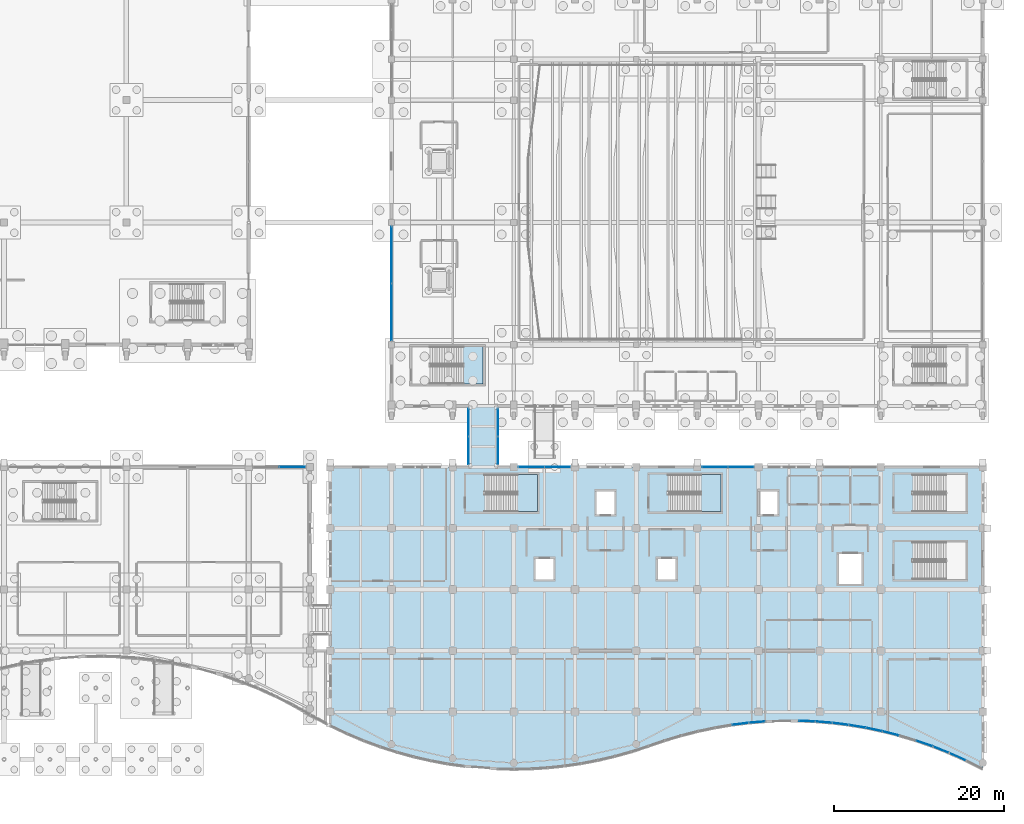
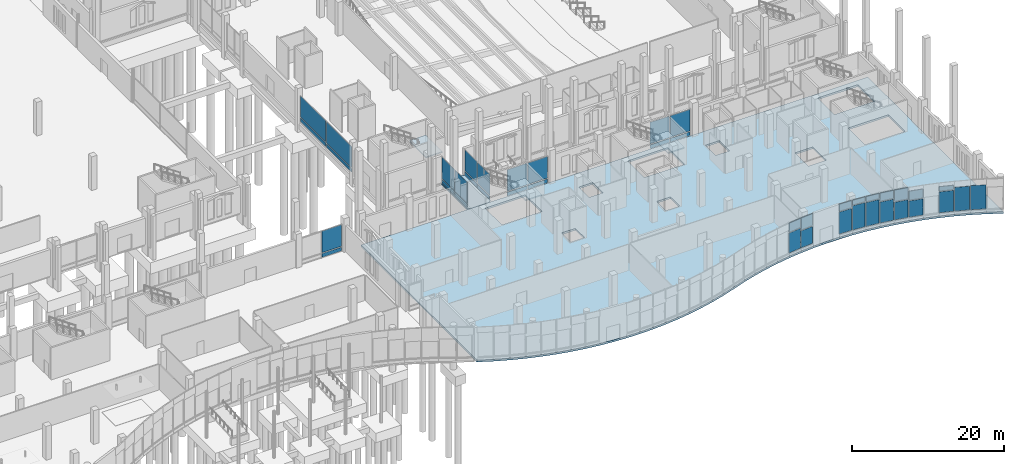
# One storey, part 127 of 192: 42 plates, 5 slabs, 20 elements without a shape of their own.
"""IFC4 building model written with IfcOpenShell, lengths in metres."""

import ifcopenshell
import ifcopenshell.guid

model = None  # the IFC model being written
_history = None  # IfcOwnerHistory: only IFC2X3 demands one
_inside = {}  # id of a spatial element -> (the spatial element, [elements in it])
_under = {}  # id of a project, library or spatial element -> (it, [spatial elements below it])
_declared = {}  # id of a project -> (the project, [libraries it declares])
_typed = {}  # id of a type object -> (the type object, [elements of that type])
_made_of = {}  # id of a material, layer set ... -> (it, [elements and type objects made of it])


def new_model(schema):
    """Start an empty IFC model of exactly this schema.

    Asked for "IFC4X3", IfcOpenShell would pick the latest addendum, in which some entities
    have other attributes; the version numbers below select the first issue.
    IFC2X3 requires an IfcOwnerHistory on every rooted entity: one is made here for all.
    """
    global model, _history
    if schema == "IFC4X3":
        model = ifcopenshell.file(schema_version=(4, 3, 0, 0))
    else:
        model = ifcopenshell.file(schema=schema)
    _inside.clear()
    _under.clear()
    _declared.clear()
    _typed.clear()
    _made_of.clear()
    _history = None
    if model.schema == "IFC2X3":
        org = make("IfcOrganization", Name="unknown")
        user = make(
            "IfcPersonAndOrganization",
            ThePerson=make("IfcPerson", FamilyName="unknown"),
            TheOrganization=org,
        )
        app = make(
            "IfcApplication",
            ApplicationDeveloper=org,
            Version="unknown",
            ApplicationFullName="unknown",
            ApplicationIdentifier="unknown",
        )
        _history = make(
            "IfcOwnerHistory",
            OwningUser=user,
            OwningApplication=app,
            ChangeAction="ADDED",
            CreationDate=0,
        )
    return model


def make(cls, **values):
    """One entity of the class cls with the attributes given. An attribute that is None is left unset."""
    return model.create_entity(
        cls, **{name: value for name, value in values.items() if value is not None}
    )


def rooted(cls, **values):
    """An entity with a GlobalId (a new one), such as an element, a storey or a relation."""
    return make(cls, GlobalId=ifcopenshell.guid.new(), OwnerHistory=_history, **values)


def si_unit(unit_type, name, prefix=None):
    """IfcSIUnit, for example si_unit("LENGTHUNIT", "METRE", prefix="MILLI")."""
    return make("IfcSIUnit", UnitType=unit_type, Prefix=prefix, Name=name)


def assignment(units):
    """IfcUnitAssignment: the units of a project."""
    return None if units is None else make("IfcUnitAssignment", Units=units)


def point(xyz):
    """IfcCartesianPoint."""
    return None if xyz is None else make("IfcCartesianPoint", Coordinates=xyz)


def direction(xyz):
    """IfcDirection."""
    return None if xyz is None else make("IfcDirection", DirectionRatios=xyz)


def frame(location, z_axis=None, x_axis=None):
    """IfcAxis2Placement3D, a coordinate frame: its origin and axes. An axis left out is left unset."""
    return make(
        "IfcAxis2Placement3D",
        Location=point(location),
        Axis=direction(z_axis),
        RefDirection=direction(x_axis),
    )


def frame_2d(location, x_axis=None):
    """IfcAxis2Placement2D, a coordinate frame in the plane: its origin and x axis."""
    return make(
        "IfcAxis2Placement2D", Location=point(location), RefDirection=direction(x_axis)
    )


def origin():
    """The frame at (0, 0, 0) with its axes left unset."""
    return frame((0.0, 0.0, 0.0))


def origin_2d():
    """The frame at (0, 0) in the plane with its x axis left unset."""
    return frame_2d((0.0, 0.0))


def place(relative_to, where):
    """IfcLocalPlacement: puts the frame where relative to a parent placement (None: the world)."""
    return make(
        "IfcLocalPlacement", PlacementRelTo=relative_to, RelativePlacement=where
    )


def context(
    kind, dimensions, precision=None, world=None, true_north=None, identifier=None
):
    """IfcGeometricRepresentationContext, for example the 3D "Model" context."""
    return make(
        "IfcGeometricRepresentationContext",
        ContextIdentifier=identifier,
        ContextType=kind,
        CoordinateSpaceDimension=dimensions,
        Precision=precision,
        WorldCoordinateSystem=world,
        TrueNorth=true_north,
    )


def subcontext(parent, identifier, kind, view, scale=None):
    """IfcGeometricRepresentationSubContext, for example "Body" below "Model"."""
    return make(
        "IfcGeometricRepresentationSubContext",
        ContextIdentifier=identifier,
        ContextType=kind,
        ParentContext=parent,
        TargetScale=scale,
        TargetView=view,
    )


def project(units=None, contexts=None):
    """IfcProject with its units and contexts."""
    return rooted(
        "IfcProject",
        Name="project",
        RepresentationContexts=contexts,
        UnitsInContext=assignment(units),
    )


def spatial(cls, under=None, at=None, **own):
    """A site, building, storey or space (cls), placed at a placement, below another one or the project."""
    s = rooted(cls, ObjectPlacement=at, **own)
    if under is not None:
        _under.setdefault(under.id(), (under, []))[1].append(s)
    return s


def polyline(points):
    """IfcPolyline through the points."""
    return make("IfcPolyline", Points=[point(p) for p in points])


def profile(cls, at=None, kind="AREA", **sizes):
    """A parametric profile (cls). Its sizes go by their IFC names, for example OverallWidth=200.0."""
    return make(cls, ProfileType=kind, Position=at, **sizes)


def rectangle(**sizes):
    """IfcRectangleProfileDef."""
    return profile("IfcRectangleProfileDef", **sizes)


def outline(outer, holes=None, kind="AREA"):
    """IfcArbitraryClosedProfileDef: a profile drawn as a closed curve; with holes, ...WithVoids."""
    if holes is None:
        return make("IfcArbitraryClosedProfileDef", ProfileType=kind, OuterCurve=outer)
    return make(
        "IfcArbitraryProfileDefWithVoids",
        ProfileType=kind,
        OuterCurve=outer,
        InnerCurves=holes,
    )


def extrude(swept, where, along, depth):
    """IfcExtrudedAreaSolid: the profile swept, set in the frame where, extruded along a direction by depth."""
    return make(
        "IfcExtrudedAreaSolid",
        SweptArea=swept,
        Position=where,
        ExtrudedDirection=direction(along),
        Depth=depth,
    )


def shape(context_of_items, identifier, shape_type, items):
    """IfcShapeRepresentation: the items that make up one representation, for example the "Body"."""
    return make(
        "IfcShapeRepresentation",
        ContextOfItems=context_of_items,
        RepresentationIdentifier=identifier,
        RepresentationType=shape_type,
        Items=items,
    )


def material(Name=None, Category=None):
    """IfcMaterial."""
    return make("IfcMaterial", Name=Name, Category=Category)


def layer(
    of_material, thickness, ventilated=None, Name=None, Category=None, Priority=None
):
    """IfcMaterialLayer: one layer of a wall or slab, of a material (None: an air gap)."""
    return make(
        "IfcMaterialLayer",
        Material=of_material,
        LayerThickness=thickness,
        IsVentilated=ventilated,
        Name=Name,
        Category=Category,
        Priority=Priority,
    )


def layer_set(layers, Name=None):
    """IfcMaterialLayerSet."""
    return make("IfcMaterialLayerSet", MaterialLayers=layers, LayerSetName=Name)


def made_of(thing, what):
    """Note that an element or type object is made of a material, layer set ...; save() writes the relation."""
    if what is not None:
        _made_of.setdefault(what.id(), (what, []))[1].append(thing)
    return thing


def type_object(cls, material=None, **own):
    """A type object (cls), such as IfcWallType, which elements share."""
    return made_of(rooted(cls, **own), material)


def element(
    cls,
    number,
    at=None,
    inside=None,
    cuts=None,
    type_object=None,
    material=None,
    context=None,
    identifier="Body",
    shape_type=None,
    held_by="IfcProductDefinitionShape",
    body=None,
    shapes=None,
    **own,
):
    """One element of the class cls, such as IfcWall. Its Tag is "e" and its number.

    at: its placement. inside: the storey or other place that contains it. cuts: it is an
    opening in that element (IfcRelVoidsElement). A single representation is given by context,
    identifier, shape_type and body (its items); several are given by shapes. held_by: the class
    of the entity that holds the representations. save() writes the other relations.
    """
    e = rooted(cls, Tag="e%d" % number, ObjectPlacement=at, **own)
    if body is not None:
        shapes = [shape(context, identifier, shape_type, body)]
    if shapes is not None:
        e.Representation = make(held_by, Representations=shapes)
    if inside is not None:
        _inside.setdefault(inside.id(), (inside, []))[1].append(e)
    if cuts is not None:
        rooted(
            "IfcRelVoidsElement", RelatingBuildingElement=cuts, RelatedOpeningElement=e
        )
    if type_object is not None:
        _typed.setdefault(type_object.id(), (type_object, []))[1].append(e)
    return made_of(e, material)


def aggregate(whole, parts):
    """IfcRelAggregates: a whole, such as a stair, and the parts it consists of."""
    return rooted("IfcRelAggregates", RelatingObject=whole, RelatedObjects=parts)


def save(model, path):
    """Write the relations noted so far, then the file.

    IfcRelAggregates (storeys below a building ...), IfcRelContainedInSpatialStructure (elements
    in a storey), IfcRelDefinesByType, IfcRelAssociatesMaterial and IfcRelDeclares: one each for
    every whole, place, type object, material and project.
    """
    for whole, parts in _under.values():
        aggregate(whole, parts)
    for where, things in _inside.values():
        rooted(
            "IfcRelContainedInSpatialStructure",
            RelatedElements=things,
            RelatingStructure=where,
        )
    for kind, things in _typed.values():
        rooted("IfcRelDefinesByType", RelatedObjects=things, RelatingType=kind)
    for what, things in _made_of.values():
        rooted("IfcRelAssociatesMaterial", RelatedObjects=things, RelatingMaterial=what)
    for by, libraries in _declared.values():
        rooted("IfcRelDeclares", RelatingContext=by, RelatedDefinitions=libraries)
    model.write(path)


model = new_model("IFC4")

# Units and contexts
model_context = context("Model", 3, precision=1e-05, world=origin(), true_north=direction((0.0, 1.0)))
body_context = subcontext(model_context, "Body", "Model", "MODEL_VIEW")
ifc_project = project(units=[si_unit("LENGTHUNIT", "METRE"), si_unit("AREAUNIT", "SQUARE_METRE"), si_unit("VOLUMEUNIT", "CUBIC_METRE"), si_unit("PLANEANGLEUNIT", "RADIAN"), si_unit("MASSUNIT", "GRAM", prefix="KILO")], contexts=[model_context])

# Site, building, storey
site_placement = place(None, origin())
site = spatial("IfcSite", under=ifc_project, at=site_placement, CompositionType="ELEMENT")
building_placement = place(site_placement, origin())
building = spatial("IfcBuilding", under=site, at=building_placement, Name="Cendralis Lancet Convention Centre", CompositionType="ELEMENT")
storey_placement = place(building_placement, origin())
storey = spatial("IfcBuildingStorey", under=building, at=storey_placement, Name="L00", CompositionType="ELEMENT", Elevation=0.0)

# Curtain wall, plate
ifc_material_1 = material(Name="Anodised bronze architectural aluminium", Category="aluminium")
curtain_wall_type_1 = type_object("IfcCurtainWallType", Name="ARC-CW-WF02", PredefinedType="USERDEFINED", material=ifc_material_1)
curtain_wall_1_placement = place(storey_placement, origin())
curtain_wall_1 = element("IfcCurtainWall", 1, at=curtain_wall_1_placement, inside=storey, type_object=curtain_wall_type_1, Name="L00 Curtain Wall CW-WF2 #078", ObjectType="CURTAIN WALL", PredefinedType="USERDEFINED")
ifc_material_2 = material(Name="Double-glazed low-E solar-control glass", Category="glass")
ifc_layer_1 = layer(ifc_material_2, 0.035888671875, Name="Double-glazed low-E solar-control glass")
ifc_layer_set_1 = layer_set([ifc_layer_1], Name="Double-glazed low-E solar-control glass")
plate_type_1 = type_object("IfcPlateType", Name="ARC-PL-GL01", PredefinedType="CURTAIN_PANEL", material=ifc_layer_set_1)
plate_1_placement = place(storey_placement, frame((180.24658203125, 5.776611328125, 0.52001953125), z_axis=(0.0, 0.0, 1.0), x_axis=(0.992470529301, 0.122483666133, 0.0)))
plate_1 = element("IfcPlate", 2, at=plate_1_placement, type_object=plate_type_1, Name="Vision Glass Panel CW2-CW-WF2-L00-078-PG0", PredefinedType="CURTAIN_PANEL", context=body_context, shape_type="SweptSolid", body=[
    extrude(rectangle(XDim=1.843994140625, YDim=0.035888671875, at=origin_2d()), origin(), (0.0, 0.0, 1.0), 3.18994140625),
])

curtain_wall_2_placement = place(storey_placement, origin())
curtain_wall_2 = element("IfcCurtainWall", 3, at=curtain_wall_2_placement, inside=storey, type_object=curtain_wall_type_1, Name="L00 Curtain Wall CW-WF2 #079", ObjectType="CURTAIN WALL", PredefinedType="USERDEFINED")
plate_2_placement = place(storey_placement, frame((182.215576171875, 5.97900390625, 0.52001953125), z_axis=(0.0, 0.0, 1.0), x_axis=(0.996632477264, 0.081998202797, 0.0)))
plate_2 = element("IfcPlate", 4, at=plate_2_placement, type_object=plate_type_1, Name="Vision Glass Panel CW2-CW-WF2-L00-079-PG0", PredefinedType="CURTAIN_PANEL", context=body_context, shape_type="SweptSolid", body=[
    extrude(rectangle(XDim=1.835693359375, YDim=0.035888671875, at=origin_2d()), origin(), (0.0, 0.0, 1.0), 2.721923828125),
])

curtain_wall_3_placement = place(storey_placement, origin())
curtain_wall_3 = element("IfcCurtainWall", 5, at=curtain_wall_3_placement, inside=storey, type_object=curtain_wall_type_1, Name="L00 Curtain Wall CW-WF2 #080", ObjectType="CURTAIN WALL", PredefinedType="USERDEFINED")
plate_3_placement = place(storey_placement, frame((188.123046875, 6.09912109375, 0.52001953125), z_axis=(0.0, 0.0, 1.0), x_axis=(0.999134830174, -0.041588353332, 0.0)))
plate_3 = element("IfcPlate", 6, at=plate_3_placement, type_object=plate_type_1, Name="Vision Glass Panel CW2-CW-WF2-L00-080-PG0", PredefinedType="CURTAIN_PANEL", context=body_context, shape_type="SweptSolid", body=[
    extrude(rectangle(XDim=1.831787109375, YDim=0.035888671875, at=origin_2d()), origin(), (0.0, 0.0, 1.0), 3.51708984375),
])

curtain_wall_4_placement = place(storey_placement, origin())
curtain_wall_4 = element("IfcCurtainWall", 7, at=curtain_wall_4_placement, inside=storey, type_object=curtain_wall_type_1, Name="L00 Curtain Wall CW-WF2 #081", ObjectType="CURTAIN WALL", PredefinedType="USERDEFINED")
plate_4_placement = place(storey_placement, frame((190.092529296875, 5.9765625, 0.52001953125), z_axis=(0.0, 0.0, 1.0), x_axis=(0.996590987599, -0.082500929908, 0.0)))
plate_4 = element("IfcPlate", 8, at=plate_4_placement, type_object=plate_type_1, Name="Vision Glass Panel CW2-CW-WF2-L00-081-PG0", PredefinedType="CURTAIN_PANEL", context=body_context, shape_type="SweptSolid", body=[
    extrude(rectangle(XDim=1.835693359375, YDim=0.035888671875, at=origin_2d()), origin(), (0.0, 0.0, 1.0), 3.884033203125),
])

curtain_wall_5_placement = place(storey_placement, origin())
curtain_wall_5 = element("IfcCurtainWall", 9, at=curtain_wall_5_placement, inside=storey, type_object=curtain_wall_type_1, Name="L00 Curtain Wall CW-WF2 #082", ObjectType="CURTAIN WALL", PredefinedType="USERDEFINED")
plate_5_placement = place(storey_placement, frame((192.0615234375, 5.7724609375, 0.52001953125), z_axis=(0.0, 0.0, 1.0), x_axis=(0.992347502285, -0.123476454063, 0.0)))
plate_5 = element("IfcPlate", 10, at=plate_5_placement, type_object=plate_type_1, Name="Vision Glass Panel CW2-CW-WF2-L00-082-PG0", PredefinedType="CURTAIN_PANEL", context=body_context, shape_type="SweptSolid", body=[
    extrude(rectangle(XDim=1.84423828125, YDim=0.035888671875, at=origin_2d()), origin(), (0.0, 0.0, 1.0), 3.818115234375),
])

curtain_wall_6_placement = place(storey_placement, origin())
curtain_wall_6 = element("IfcCurtainWall", 11, at=curtain_wall_6_placement, inside=storey, type_object=curtain_wall_type_1, Name="L00 Curtain Wall CW-WF2 #083", ObjectType="CURTAIN WALL", PredefinedType="USERDEFINED")
plate_6_placement = place(storey_placement, frame((194.030517578125, 5.486083984375, 0.52001953125), z_axis=(0.0, 0.0, 1.0), x_axis=(0.986407460183, -0.164317748573, 0.0)))
plate_6 = element("IfcPlate", 12, at=plate_6_placement, type_object=plate_type_1, Name="Vision Glass Panel CW2-CW-WF2-L00-083-PG0", PredefinedType="CURTAIN_PANEL", context=body_context, shape_type="SweptSolid", body=[
    extrude(rectangle(XDim=1.856201171875, YDim=0.035888671875, at=origin_2d()), origin(), (0.0, 0.0, 1.0), 3.364990234375),
])

curtain_wall_7_placement = place(storey_placement, origin())
curtain_wall_7 = element("IfcCurtainWall", 13, at=curtain_wall_7_placement, inside=storey, type_object=curtain_wall_type_1, Name="L00 Curtain Wall CW-WF2 #084", ObjectType="CURTAIN WALL", PredefinedType="USERDEFINED")
plate_7_placement = place(storey_placement, frame((196.0, 5.114990234375, 0.52001953125), z_axis=(0.0, 0.0, 1.0), x_axis=(0.978623511976, -0.205659966468, 0.0)))
plate_7 = element("IfcPlate", 14, at=plate_7_placement, type_object=plate_type_1, Name="Vision Glass Panel CW2-CW-WF2-L00-084-PG0", PredefinedType="CURTAIN_PANEL", context=body_context, shape_type="SweptSolid", body=[
    extrude(rectangle(XDim=1.873046875, YDim=0.035888671875, at=origin_2d()), origin(), (0.0, 0.0, 1.0), 2.839111328125),
])

curtain_wall_8_placement = place(storey_placement, origin())
curtain_wall_8 = element("IfcCurtainWall", 15, at=curtain_wall_8_placement, inside=storey, type_object=curtain_wall_type_1, Name="L00 Curtain Wall CW-WF2 #085", ObjectType="CURTAIN WALL", PredefinedType="USERDEFINED")
plate_8_placement = place(storey_placement, frame((197.969482421875, 4.657958984375, 0.52001953125), z_axis=(0.0, 0.0, 1.0), x_axis=(0.969238225339, -0.246124485865, 0.0)))
plate_8 = element("IfcPlate", 16, at=plate_8_placement, type_object=plate_type_1, Name="Vision Glass Panel CW2-CW-WF2-L00-085-PG0", PredefinedType="CURTAIN_PANEL", context=body_context, shape_type="SweptSolid", body=[
    extrude(rectangle(XDim=1.8916015625, YDim=0.035888671875, at=origin_2d()), origin(), (0.0, 0.0, 1.0), 2.60498046875),
])

curtain_wall_9_placement = place(storey_placement, origin())
curtain_wall_9 = element("IfcCurtainWall", 17, at=curtain_wall_9_placement, inside=storey, type_object=curtain_wall_type_1, Name="L00 Curtain Wall CW-WF2 #087", ObjectType="CURTAIN WALL", PredefinedType="USERDEFINED")
plate_9_placement = place(storey_placement, frame((201.907470703125, 3.473388671875, 0.52001953125), z_axis=(0.0, 0.0, 1.0), x_axis=(0.944477381623, -0.32857643799, 0.0)))
plate_9 = element("IfcPlate", 18, at=plate_9_placement, type_object=plate_type_1, Name="Vision Glass Panel CW2-CW-WF2-L00-087-PG0", PredefinedType="CURTAIN_PANEL", context=body_context, shape_type="SweptSolid", body=[
    extrude(rectangle(XDim=1.94482421875, YDim=0.035888671875, at=origin_2d()), origin(), (0.0, 0.0, 1.0), 3.347900390625),
])

curtain_wall_10_placement = place(storey_placement, origin())
curtain_wall_10 = element("IfcCurtainWall", 19, at=curtain_wall_10_placement, inside=storey, type_object=curtain_wall_type_1, Name="L00 Curtain Wall CW-WF2 #088", ObjectType="CURTAIN WALL", PredefinedType="USERDEFINED")
plate_10_placement = place(storey_placement, frame((203.876953125, 2.739501953125, 0.52001953125), z_axis=(0.0, 0.0, 1.0), x_axis=(0.929287774345, -0.369356511318, 0.0)))
plate_10 = element("IfcPlate", 20, at=plate_10_placement, type_object=plate_type_1, Name="Vision Glass Panel CW2-CW-WF2-L00-088-PG0", PredefinedType="CURTAIN_PANEL", context=body_context, shape_type="SweptSolid", body=[
    extrude(rectangle(XDim=1.97998046875, YDim=0.035888671875, at=origin_2d()), origin(), (0.0, 0.0, 1.0), 3.80908203125),
])
aggregate(curtain_wall_10, [plate_10])

curtain_wall_11_placement = place(storey_placement, origin())
curtain_wall_11 = element("IfcCurtainWall", 21, at=curtain_wall_11_placement, inside=storey, type_object=curtain_wall_type_1, Name="L00 Curtain Wall CW-WF2 #089", ObjectType="CURTAIN WALL", PredefinedType="USERDEFINED")
plate_11_placement = place(storey_placement, frame((205.846435546875, 1.904541015625, 0.52001953125), z_axis=(0.0, 0.0, 1.0), x_axis=(0.91175681114, -0.410730467995, 0.0)))
plate_11 = element("IfcPlate", 22, at=plate_11_placement, type_object=plate_type_1, Name="Vision Glass Panel CW2-CW-WF2-L00-089-PG0", PredefinedType="CURTAIN_PANEL", context=body_context, shape_type="SweptSolid", body=[
    extrude(rectangle(XDim=2.01953125, YDim=0.035888671875, at=origin_2d()), origin(), (0.0, 0.0, 1.0), 3.888916015625),
])
aggregate(curtain_wall_11, [plate_11])

# Curtain wall, plates
curtain_wall_type_2 = type_object("IfcCurtainWallType", Name="ARC-CW-BR01", PredefinedType="USERDEFINED", material=ifc_material_1)
curtain_wall_12_placement = place(storey_placement, origin())
curtain_wall_12 = element("IfcCurtainWall", 23, at=curtain_wall_12_placement, inside=storey, type_object=curtain_wall_type_2, Name="L00 Curtain Wall CW-BR1 #211", ObjectType="CURTAIN WALL", PredefinedType="USERDEFINED")
plate_12_placement = place(storey_placement, frame((148.280029296875, 37.925048828125, 0.81982421875), z_axis=(0.0, 0.0, 1.0), x_axis=(0.0, 1.0, 0.0)))
plate_12 = element("IfcPlate", 24, at=plate_12_placement, type_object=plate_type_1, Name="Vision Glass Panel CW2-CW-BR1-L00-211-PG0", PredefinedType="CURTAIN_PANEL", context=body_context, shape_type="SweptSolid", body=[
    extrude(rectangle(XDim=3.2099609375, YDim=0.035888671875, at=origin_2d()), origin(), (0.0, 0.0, 1.0), 3.360107421875),
])
plate_13_placement = place(storey_placement, frame((148.280029296875, 41.27490234375, 0.81982421875), z_axis=(0.0, 0.0, 1.0), x_axis=(0.0, 1.0, 0.0)))
plate_13 = element("IfcPlate", 25, at=plate_13_placement, type_object=plate_type_1, Name="Vision Glass Panel CW2-CW-BR1-L00-211-PG1", PredefinedType="CURTAIN_PANEL", context=body_context, shape_type="SweptSolid", body=[
    extrude(rectangle(XDim=3.2099609375, YDim=0.035888671875, at=origin_2d()), origin(), (0.0, 0.0, 1.0), 3.360107421875),
])

curtain_wall_13_placement = place(storey_placement, origin())
curtain_wall_13 = element("IfcCurtainWall", 26, at=curtain_wall_13_placement, inside=storey, type_object=curtain_wall_type_2, Name="L00 Curtain Wall CW-BR1 #212", ObjectType="CURTAIN WALL", PredefinedType="USERDEFINED")
plate_14_placement = place(storey_placement, frame((151.719970703125, 37.925048828125, 0.81982421875), z_axis=(0.0, 0.0, 1.0), x_axis=(0.0, 1.0, 0.0)))
plate_14 = element("IfcPlate", 27, at=plate_14_placement, type_object=plate_type_1, Name="Vision Glass Panel CW2-CW-BR1-L00-212-PG0", PredefinedType="CURTAIN_PANEL", context=body_context, shape_type="SweptSolid", body=[
    extrude(rectangle(XDim=3.2099609375, YDim=0.035888671875, at=origin_2d()), origin(), (0.0, 0.0, 1.0), 3.360107421875),
])
plate_15_placement = place(storey_placement, frame((151.719970703125, 41.27490234375, 0.81982421875), z_axis=(0.0, 0.0, 1.0), x_axis=(0.0, 1.0, 0.0)))
plate_15 = element("IfcPlate", 28, at=plate_15_placement, type_object=plate_type_1, Name="Vision Glass Panel CW2-CW-BR1-L00-212-PG1", PredefinedType="CURTAIN_PANEL", context=body_context, shape_type="SweptSolid", body=[
    extrude(rectangle(XDim=3.2099609375, YDim=0.035888671875, at=origin_2d()), origin(), (0.0, 0.0, 1.0), 3.360107421875),
])

curtain_wall_type_3 = type_object("IfcCurtainWallType", Name="ARC-CW-PL01", PredefinedType="USERDEFINED", material=ifc_material_1)
curtain_wall_14_placement = place(storey_placement, origin())
curtain_wall_14 = element("IfcCurtainWall", 29, at=curtain_wall_14_placement, inside=storey, type_object=curtain_wall_type_3, Name="L00 Curtain Wall CW-PL1 #110", ObjectType="CURTAIN WALL", PredefinedType="USERDEFINED")
ifc_layer_2 = layer(ifc_material_2, 0.035888671875, Name="Double-glazed low-E solar-control glass")
ifc_layer_set_2 = layer_set([ifc_layer_2], Name="Double-glazed low-E solar-control glass")
plate_type_2 = type_object("IfcPlateType", Name="ARC-PL-GL03", PredefinedType="CURTAIN_PANEL", material=ifc_layer_set_2)
plate_16_placement = place(storey_placement, frame((139.199951171875, 54.21240234375, 0.81982421875), z_axis=(0.0, 0.0, 1.0), x_axis=(0.0, 1.0, 0.0)))
plate_16 = element("IfcPlate", 30, at=plate_16_placement, type_object=plate_type_2, Name="Vision Glass Panel CW2-CW-PL1-L00-110-PG0", PredefinedType="CURTAIN_PANEL", context=body_context, shape_type="SweptSolid", body=[
    extrude(rectangle(XDim=6.614990234375, YDim=0.035888671875, at=origin_2d()), origin(), (0.0, 0.0, 1.0), 3.364990234375),
])
plate_17_placement = place(storey_placement, frame((139.199951171875, 60.987548828125, 0.81982421875), z_axis=(0.0, 0.0, 1.0), x_axis=(0.0, 1.0, 0.0)))
plate_17 = element("IfcPlate", 31, at=plate_17_placement, type_object=plate_type_2, Name="Vision Glass Panel CW2-CW-PL1-L00-110-PG1", PredefinedType="CURTAIN_PANEL", context=body_context, shape_type="SweptSolid", body=[
    extrude(rectangle(XDim=6.614990234375, YDim=0.035888671875, at=origin_2d()), origin(), (0.0, 0.0, 1.0), 3.364990234375),
])

# Curtain wall, plate
curtain_wall_type_4 = type_object("IfcCurtainWallType", Name="ARC-CW-CL01", PredefinedType="USERDEFINED", material=ifc_material_1)
curtain_wall_15_placement = place(storey_placement, origin())
curtain_wall_15 = element("IfcCurtainWall", 32, at=curtain_wall_15_placement, inside=storey, type_object=curtain_wall_type_4, Name="L00 Curtain Wall CW-CL1 #165", ObjectType="CURTAIN WALL", PredefinedType="USERDEFINED")
plate_18_placement = place(storey_placement, frame((127.5625, 36.0, 0.81982421875), z_axis=(0.0, 0.0, 1.0), x_axis=(1.0, 0.0, 0.0)))
plate_18 = element("IfcPlate", 33, at=plate_18_placement, type_object=plate_type_2, Name="Vision Glass Panel CW2-CW-CL1-L00-165-PG1", PredefinedType="CURTAIN_PANEL", context=body_context, shape_type="SweptSolid", body=[
    extrude(rectangle(XDim=2.985107421875, YDim=0.035888671875, at=origin_2d()), origin(), (0.0, 0.0, 1.0), 3.465087890625),
])

# Curtain wall, plates
curtain_wall_16_placement = place(storey_placement, origin())
curtain_wall_16 = element("IfcCurtainWall", 34, at=curtain_wall_16_placement, inside=storey, type_object=curtain_wall_type_4, Name="L00 Curtain Wall CW-CL1 #179", ObjectType="CURTAIN WALL", PredefinedType="USERDEFINED")
plate_19_placement = place(storey_placement, frame((155.64990234375, 36.0, 0.81982421875), z_axis=(0.0, 0.0, 1.0), x_axis=(1.0, 0.0, 0.0)))
plate_19 = element("IfcPlate", 35, at=plate_19_placement, type_object=plate_type_2, Name="Vision Glass Panel CW2-CW-CL1-L00-179-PG0", PredefinedType="CURTAIN_PANEL", context=body_context, shape_type="SweptSolid", body=[
    extrude(rectangle(XDim=2.9599609375, YDim=0.035888671875, at=origin_2d()), origin(), (0.0, 0.0, 1.0), 3.465087890625),
])
plate_20_placement = place(storey_placement, frame((158.75, 36.0, 0.81982421875), z_axis=(0.0, 0.0, 1.0), x_axis=(1.0, 0.0, 0.0)))
plate_20 = element("IfcPlate", 36, at=plate_20_placement, type_object=plate_type_2, Name="Vision Glass Panel CW2-CW-CL1-L00-179-PG1", PredefinedType="CURTAIN_PANEL", context=body_context, shape_type="SweptSolid", body=[
    extrude(rectangle(XDim=2.9599609375, YDim=0.035888671875, at=origin_2d()), origin(), (0.0, 0.0, 1.0), 3.465087890625),
])

curtain_wall_17_placement = place(storey_placement, origin())
curtain_wall_17 = element("IfcCurtainWall", 37, at=curtain_wall_17_placement, inside=storey, type_object=curtain_wall_type_4, Name="L00 Curtain Wall CW-CL1 #180", ObjectType="CURTAIN WALL", PredefinedType="USERDEFINED")
plate_21_placement = place(storey_placement, frame((177.25, 36.0, 0.81982421875), z_axis=(0.0, 0.0, 1.0), x_axis=(1.0, 0.0, 0.0)))
plate_21 = element("IfcPlate", 38, at=plate_21_placement, type_object=plate_type_2, Name="Vision Glass Panel CW2-CW-CL1-L00-180-PG0", PredefinedType="CURTAIN_PANEL", context=body_context, shape_type="SweptSolid", body=[
    extrude(rectangle(XDim=2.9599609375, YDim=0.035888671875, at=origin_2d()), origin(), (0.0, 0.0, 1.0), 3.465087890625),
])
plate_22_placement = place(storey_placement, frame((180.35009765625, 36.0, 0.81982421875), z_axis=(0.0, 0.0, 1.0), x_axis=(1.0, 0.0, 0.0)))
plate_22 = element("IfcPlate", 39, at=plate_22_placement, type_object=plate_type_2, Name="Vision Glass Panel CW2-CW-CL1-L00-180-PG1", PredefinedType="CURTAIN_PANEL", context=body_context, shape_type="SweptSolid", body=[
    extrude(rectangle(XDim=2.9599609375, YDim=0.035888671875, at=origin_2d()), origin(), (0.0, 0.0, 1.0), 3.465087890625),
])

# Plate
ifc_material_3 = material(Name="Insulated ceramic-fritted spandrel glass", Category="glass")
ifc_layer_3 = layer(ifc_material_3, 0.044921875, Name="Insulated ceramic-fritted spandrel glass")
ifc_layer_set_3 = layer_set([ifc_layer_3], Name="Insulated ceramic-fritted spandrel glass")
plate_type_3 = type_object("IfcPlateType", Name="ARC-PL-SP01", PredefinedType="CURTAIN_PANEL", material=ifc_layer_set_3)
plate_23_placement = place(storey_placement, frame((180.24658203125, 5.776611328125, 3.85009765625), z_axis=(0.0, 0.0, 1.0), x_axis=(0.992470529301, 0.122483666133, 0.0)))
plate_23 = element("IfcPlate", 40, at=plate_23_placement, type_object=plate_type_3, Name="Spandrel Panel CW2-CW-WF2-L00-078-PS0", PredefinedType="CURTAIN_PANEL", context=body_context, shape_type="SweptSolid", body=[
    extrude(rectangle(XDim=1.843994140625, YDim=0.044921875, at=origin_2d()), origin(), (0.0, 0.0, 1.0), 1.47998046875),
])

aggregate(curtain_wall_1, [plate_1, plate_23])

plate_24_placement = place(storey_placement, frame((182.215576171875, 5.97900390625, 3.3818359375), z_axis=(0.0, 0.0, 1.0), x_axis=(0.996632477264, 0.081998202797, 0.0)))
plate_24 = element("IfcPlate", 41, at=plate_24_placement, type_object=plate_type_3, Name="Spandrel Panel CW2-CW-WF2-L00-079-PS0", PredefinedType="CURTAIN_PANEL", context=body_context, shape_type="SweptSolid", body=[
    extrude(rectangle(XDim=1.835693359375, YDim=0.044921875, at=origin_2d()), origin(), (0.0, 0.0, 1.0), 1.947998046875),
])

aggregate(curtain_wall_2, [plate_2, plate_24])

plate_25_placement = place(storey_placement, frame((188.123046875, 6.09912109375, 4.1767578125), z_axis=(0.0, 0.0, 1.0), x_axis=(0.999134830174, -0.041588353332, 0.0)))
plate_25 = element("IfcPlate", 42, at=plate_25_placement, type_object=plate_type_3, Name="Spandrel Panel CW2-CW-WF2-L00-080-PS0", PredefinedType="CURTAIN_PANEL", context=body_context, shape_type="SweptSolid", body=[
    extrude(rectangle(XDim=1.831787109375, YDim=0.044921875, at=origin_2d()), origin(), (0.0, 0.0, 1.0), 1.153076171875),
])

aggregate(curtain_wall_3, [plate_3, plate_25])

plate_26_placement = place(storey_placement, frame((190.092529296875, 5.9765625, 4.5439453125), z_axis=(0.0, 0.0, 1.0), x_axis=(0.996590987599, -0.082500929908, 0.0)))
plate_26 = element("IfcPlate", 43, at=plate_26_placement, type_object=plate_type_3, Name="Spandrel Panel CW2-CW-WF2-L00-081-PS0", PredefinedType="CURTAIN_PANEL", context=body_context, shape_type="SweptSolid", body=[
    extrude(rectangle(XDim=1.835693359375, YDim=0.044921875, at=origin_2d()), origin(), (0.0, 0.0, 1.0), 0.785888671875),
])

aggregate(curtain_wall_4, [plate_4, plate_26])

plate_27_placement = place(storey_placement, frame((192.0615234375, 5.7724609375, 4.47802734375), z_axis=(0.0, 0.0, 1.0), x_axis=(0.992347502285, -0.123476454063, 0.0)))
plate_27 = element("IfcPlate", 44, at=plate_27_placement, type_object=plate_type_3, Name="Spandrel Panel CW2-CW-WF2-L00-082-PS0", PredefinedType="CURTAIN_PANEL", context=body_context, shape_type="SweptSolid", body=[
    extrude(rectangle(XDim=1.84423828125, YDim=0.044921875, at=origin_2d()), origin(), (0.0, 0.0, 1.0), 0.85205078125),
])

aggregate(curtain_wall_5, [plate_5, plate_27])

plate_28_placement = place(storey_placement, frame((194.030517578125, 5.486083984375, 4.02490234375), z_axis=(0.0, 0.0, 1.0), x_axis=(0.986407460183, -0.164317748573, 0.0)))
plate_28 = element("IfcPlate", 45, at=plate_28_placement, type_object=plate_type_3, Name="Spandrel Panel CW2-CW-WF2-L00-083-PS0", PredefinedType="CURTAIN_PANEL", context=body_context, shape_type="SweptSolid", body=[
    extrude(rectangle(XDim=1.856201171875, YDim=0.044921875, at=origin_2d()), origin(), (0.0, 0.0, 1.0), 1.304931640625),
])

aggregate(curtain_wall_6, [plate_6, plate_28])

plate_29_placement = place(storey_placement, frame((196.0, 5.114990234375, 3.4990234375), z_axis=(0.0, 0.0, 1.0), x_axis=(0.978623511976, -0.205659966468, 0.0)))
plate_29 = element("IfcPlate", 46, at=plate_29_placement, type_object=plate_type_3, Name="Spandrel Panel CW2-CW-WF2-L00-084-PS0", PredefinedType="CURTAIN_PANEL", context=body_context, shape_type="SweptSolid", body=[
    extrude(rectangle(XDim=1.873046875, YDim=0.044921875, at=origin_2d()), origin(), (0.0, 0.0, 1.0), 1.8310546875),
])

aggregate(curtain_wall_7, [plate_7, plate_29])

plate_30_placement = place(storey_placement, frame((197.969482421875, 4.657958984375, 3.26513671875), z_axis=(0.0, 0.0, 1.0), x_axis=(0.969238225339, -0.246124485865, 0.0)))
plate_30 = element("IfcPlate", 47, at=plate_30_placement, type_object=plate_type_3, Name="Spandrel Panel CW2-CW-WF2-L00-085-PS0", PredefinedType="CURTAIN_PANEL", context=body_context, shape_type="SweptSolid", body=[
    extrude(rectangle(XDim=1.8916015625, YDim=0.044921875, at=origin_2d()), origin(), (0.0, 0.0, 1.0), 1.419921875),
])

aggregate(curtain_wall_8, [plate_8, plate_30])

plate_31_placement = place(storey_placement, frame((201.907470703125, 3.473388671875, 4.0078125), z_axis=(0.0, 0.0, 1.0), x_axis=(0.944477381623, -0.32857643799, 0.0)))
plate_31 = element("IfcPlate", 48, at=plate_31_placement, type_object=plate_type_3, Name="Spandrel Panel CW2-CW-WF2-L00-087-PS0", PredefinedType="CURTAIN_PANEL", context=body_context, shape_type="SweptSolid", body=[
    extrude(rectangle(XDim=1.94482421875, YDim=0.044921875, at=origin_2d()), origin(), (0.0, 0.0, 1.0), 0.677001953125),
])

aggregate(curtain_wall_9, [plate_9, plate_31])

plate_32_placement = place(storey_placement, frame((139.199951171875, 54.21240234375, 0.06982421875), z_axis=(0.0, 0.0, 1.0), x_axis=(0.0, 1.0, 0.0)))
plate_32 = element("IfcPlate", 49, at=plate_32_placement, type_object=plate_type_3, Name="Spandrel Panel CW2-CW-PL1-L00-110-PS0", PredefinedType="CURTAIN_PANEL", context=body_context, shape_type="SweptSolid", body=[
    extrude(rectangle(XDim=6.614990234375, YDim=0.044921875, at=origin_2d()), origin(), (0.0, 0.0, 1.0), 0.610107421875),
])

plate_33_placement = place(storey_placement, frame((139.199951171875, 60.987548828125, 0.06982421875), z_axis=(0.0, 0.0, 1.0), x_axis=(0.0, 1.0, 0.0)))
plate_33 = element("IfcPlate", 50, at=plate_33_placement, type_object=plate_type_3, Name="Spandrel Panel CW2-CW-PL1-L00-110-PS1", PredefinedType="CURTAIN_PANEL", context=body_context, shape_type="SweptSolid", body=[
    extrude(rectangle(XDim=6.614990234375, YDim=0.044921875, at=origin_2d()), origin(), (0.0, 0.0, 1.0), 0.610107421875),
])

aggregate(curtain_wall_14, [plate_32, plate_16, plate_33, plate_17])

plate_34_placement = place(storey_placement, frame((127.5625, 36.0, 0.06982421875), z_axis=(0.0, 0.0, 1.0), x_axis=(1.0, 0.0, 0.0)))
plate_34 = element("IfcPlate", 51, at=plate_34_placement, type_object=plate_type_3, Name="Spandrel Panel CW2-CW-CL1-L00-165-PS1", PredefinedType="CURTAIN_PANEL", context=body_context, shape_type="SweptSolid", body=[
    extrude(rectangle(XDim=2.985107421875, YDim=0.044921875, at=origin_2d()), origin(), (0.0, 0.0, 1.0), 0.610107421875),
])

aggregate(curtain_wall_15, [plate_34, plate_18])

plate_35_placement = place(storey_placement, frame((155.64990234375, 36.0, 0.06982421875), z_axis=(0.0, 0.0, 1.0), x_axis=(1.0, 0.0, 0.0)))
plate_35 = element("IfcPlate", 52, at=plate_35_placement, type_object=plate_type_3, Name="Spandrel Panel CW2-CW-CL1-L00-179-PS0", PredefinedType="CURTAIN_PANEL", context=body_context, shape_type="SweptSolid", body=[
    extrude(rectangle(XDim=2.9599609375, YDim=0.044921875, at=origin_2d()), origin(), (0.0, 0.0, 1.0), 0.610107421875),
])

plate_36_placement = place(storey_placement, frame((158.75, 36.0, 0.06982421875), z_axis=(0.0, 0.0, 1.0), x_axis=(1.0, 0.0, 0.0)))
plate_36 = element("IfcPlate", 53, at=plate_36_placement, type_object=plate_type_3, Name="Spandrel Panel CW2-CW-CL1-L00-179-PS1", PredefinedType="CURTAIN_PANEL", context=body_context, shape_type="SweptSolid", body=[
    extrude(rectangle(XDim=2.9599609375, YDim=0.044921875, at=origin_2d()), origin(), (0.0, 0.0, 1.0), 0.610107421875),
])

aggregate(curtain_wall_16, [plate_35, plate_19, plate_36, plate_20])

plate_37_placement = place(storey_placement, frame((177.25, 36.0, 0.06982421875), z_axis=(0.0, 0.0, 1.0), x_axis=(1.0, 0.0, 0.0)))
plate_37 = element("IfcPlate", 54, at=plate_37_placement, type_object=plate_type_3, Name="Spandrel Panel CW2-CW-CL1-L00-180-PS0", PredefinedType="CURTAIN_PANEL", context=body_context, shape_type="SweptSolid", body=[
    extrude(rectangle(XDim=2.9599609375, YDim=0.044921875, at=origin_2d()), origin(), (0.0, 0.0, 1.0), 0.610107421875),
])

plate_38_placement = place(storey_placement, frame((180.35009765625, 36.0, 0.06982421875), z_axis=(0.0, 0.0, 1.0), x_axis=(1.0, 0.0, 0.0)))
plate_38 = element("IfcPlate", 55, at=plate_38_placement, type_object=plate_type_3, Name="Spandrel Panel CW2-CW-CL1-L00-180-PS1", PredefinedType="CURTAIN_PANEL", context=body_context, shape_type="SweptSolid", body=[
    extrude(rectangle(XDim=2.9599609375, YDim=0.044921875, at=origin_2d()), origin(), (0.0, 0.0, 1.0), 0.610107421875),
])

aggregate(curtain_wall_17, [plate_37, plate_21, plate_38, plate_22])

plate_39_placement = place(storey_placement, frame((148.280029296875, 37.925048828125, 0.06982421875), z_axis=(0.0, 0.0, 1.0), x_axis=(0.0, 1.0, 0.0)))
plate_39 = element("IfcPlate", 56, at=plate_39_placement, type_object=plate_type_3, Name="Spandrel Panel CW2-CW-BR1-L00-211-PS0", PredefinedType="CURTAIN_PANEL", context=body_context, shape_type="SweptSolid", body=[
    extrude(rectangle(XDim=3.2099609375, YDim=0.044921875, at=origin_2d()), origin(), (0.0, 0.0, 1.0), 0.610107421875),
])

plate_40_placement = place(storey_placement, frame((148.280029296875, 41.27490234375, 0.06982421875), z_axis=(0.0, 0.0, 1.0), x_axis=(0.0, 1.0, 0.0)))
plate_40 = element("IfcPlate", 57, at=plate_40_placement, type_object=plate_type_3, Name="Spandrel Panel CW2-CW-BR1-L00-211-PS1", PredefinedType="CURTAIN_PANEL", context=body_context, shape_type="SweptSolid", body=[
    extrude(rectangle(XDim=3.2099609375, YDim=0.044921875, at=origin_2d()), origin(), (0.0, 0.0, 1.0), 0.610107421875),
])

aggregate(curtain_wall_12, [plate_39, plate_12, plate_40, plate_13])

plate_41_placement = place(storey_placement, frame((151.719970703125, 37.925048828125, 0.06982421875), z_axis=(0.0, 0.0, 1.0), x_axis=(0.0, 1.0, 0.0)))
plate_41 = element("IfcPlate", 58, at=plate_41_placement, type_object=plate_type_3, Name="Spandrel Panel CW2-CW-BR1-L00-212-PS0", PredefinedType="CURTAIN_PANEL", context=body_context, shape_type="SweptSolid", body=[
    extrude(rectangle(XDim=3.2099609375, YDim=0.044921875, at=origin_2d()), origin(), (0.0, 0.0, 1.0), 0.610107421875),
])

plate_42_placement = place(storey_placement, frame((151.719970703125, 41.27490234375, 0.06982421875), z_axis=(0.0, 0.0, 1.0), x_axis=(0.0, 1.0, 0.0)))
plate_42 = element("IfcPlate", 59, at=plate_42_placement, type_object=plate_type_3, Name="Spandrel Panel CW2-CW-BR1-L00-212-PS1", PredefinedType="CURTAIN_PANEL", context=body_context, shape_type="SweptSolid", body=[
    extrude(rectangle(XDim=3.2099609375, YDim=0.044921875, at=origin_2d()), origin(), (0.0, 0.0, 1.0), 0.610107421875),
])

aggregate(curtain_wall_13, [plate_41, plate_14, plate_42, plate_15])

# Slabs
ifc_material_4 = material(Name="Concrete G35 (C35/45)", Category="concrete")
ifc_layer_4 = layer(ifc_material_4, 0.219970703125, Name="Concrete G35 (C35/45)")
ifc_layer_set_4 = layer_set([ifc_layer_4], Name="Concrete G35 (C35/45)")
slab_type_1 = type_object("IfcSlabType", Name="STR-SL-FS22", PredefinedType="FLOOR", material=ifc_layer_set_4)
slab_1_placement = place(storey_placement, frame((0.0, 0.0, -0.219970703125)))
element("IfcSlab", 60, at=slab_1_placement, inside=storey, type_object=slab_type_1, Name="East Promenade Covered Passage Link Slab L00", PredefinedType="FLOOR", context=body_context, shape_type="SweptSolid", body=[
    extrude(outline(polyline([(148.550048828125, 36.0), (151.449951171875, 36.0), (151.800048828125, 36.35009765625), (151.800048828125, 42.85009765625), (151.449951171875, 43.199951171875), (148.550048828125, 43.199951171875), (148.199951171875, 42.85009765625), (148.199951171875, 36.35009765625), (148.550048828125, 36.0)])), origin(), (0.0, 0.0, 1.0), 0.219970703125),
])
ifc_layer_5 = layer(ifc_material_4, 0.300048828125, Name="Concrete G35 (C35/45)")
ifc_layer_set_5 = layer_set([ifc_layer_5], Name="Concrete G35 (C35/45)")
slab_type_2 = type_object("IfcSlabType", Name="STR-SL-FS30", PredefinedType="FLOOR", material=ifc_layer_set_5)
slab_2_placement = place(storey_placement, frame((0.0, 0.0, -0.300048828125)))
element("IfcSlab", 61, at=slab_2_placement, inside=storey, type_object=slab_type_2, Name="L00 V5 Floor Slab FS-300", PredefinedType="FLOOR", context=body_context, shape_type="SweptSolid", body=[
    extrude(outline(polyline([(132.0, 5.56005859375), (133.968994140625, 4.6259765625), (135.93798828125, 3.798095703125), (137.907958984375, 3.071044921875), (139.876953125, 2.43896484375), (141.845947265625, 1.89892578125), (143.81494140625, 1.447998046875), (145.784912109375, 1.08203125), (147.75390625, 0.801025390625), (149.722900390625, 0.60302734375), (151.69189453125, 0.486083984375), (153.662109375, 0.449951171875), (155.631103515625, 0.4951171875), (157.60009765625, 0.62109375), (159.569091796875, 0.8291015625), (161.5380859375, 1.118896484375), (163.508056640625, 1.493896484375), (165.47705078125, 1.955078125), (167.446044921875, 2.5048828125), (169.4150390625, 3.14697265625), (171.385009765625, 3.825927734375), (173.35400390625, 4.416015625), (175.322998046875, 4.916015625), (177.2919921875, 5.327880859375), (179.261962890625, 5.655029296875), (181.23095703125, 5.89794921875), (183.199951171875, 6.06005859375), (185.1689453125, 6.139892578125), (187.137939453125, 6.139892578125), (189.10791015625, 6.05810546875), (191.076904296875, 5.89501953125), (193.0458984375, 5.64990234375), (195.014892578125, 5.322021484375), (196.985107421875, 4.907958984375), (198.9541015625, 4.407958984375), (200.923095703125, 3.81591796875), (202.89208984375, 3.131103515625), (204.862060546875, 2.347900390625), (206.8310546875, 1.4609375), (208.800048828125, 0.464111328125), (208.800048828125, 36.0), (132.0, 36.0), (132.0, 5.56005859375)]), holes=[polyline([(150.31005859375, 30.75), (156.39990234375, 30.75), (156.39990234375, 35.1298828125), (150.31005859375, 35.1298828125), (150.31005859375, 30.75)]), polyline([(171.909912109375, 30.75), (178.0, 30.75), (178.0, 35.1298828125), (171.909912109375, 35.1298828125), (171.909912109375, 30.75)]), polyline([(200.7099609375, 22.800048828125), (206.800048828125, 22.800048828125), (206.800048828125, 27.179931640625), (200.7099609375, 27.179931640625), (200.7099609375, 22.800048828125)]), polyline([(200.7099609375, 30.75), (206.800048828125, 30.75), (206.800048828125, 35.1298828125), (200.7099609375, 35.1298828125), (200.7099609375, 30.75)]), polyline([(163.35009765625, 30.449951171875), (165.449951171875, 30.449951171875), (165.449951171875, 33.14990234375), (163.35009765625, 33.14990234375), (163.35009765625, 30.449951171875)]), polyline([(182.550048828125, 30.449951171875), (184.64990234375, 30.449951171875), (184.64990234375, 33.14990234375), (182.550048828125, 33.14990234375), (182.550048828125, 30.449951171875)]), polyline([(156.14990234375, 22.800048828125), (158.25, 22.800048828125), (158.25, 25.199951171875), (156.14990234375, 25.199951171875), (156.14990234375, 22.800048828125)]), polyline([(170.550048828125, 22.800048828125), (172.64990234375, 22.800048828125), (172.64990234375, 25.199951171875), (170.550048828125, 25.199951171875), (170.550048828125, 22.800048828125)]), polyline([(191.85009765625, 22.25), (194.550048828125, 22.25), (194.550048828125, 25.75), (191.85009765625, 25.75), (191.85009765625, 22.25)])]), origin(), (0.0, 0.0, 1.0), 0.300048828125),
])

# Stair, slab
stair_type = type_object("IfcStairType", Name="ARC-ST-CORE", PredefinedType="HALF_TURN_STAIR", material=ifc_material_4)
stair_1_placement = place(storey_placement, origin())
stair_1 = element("IfcStair", 62, at=stair_1_placement, inside=storey, type_object=stair_type, Name="L00 Protected Exit Stair ST-08", PredefinedType="HALF_TURN_STAIR")
ifc_layer_6 = layer(ifc_material_4, 0.199951171875, Name="Concrete G35 (C35/45)")
ifc_layer_set_6 = layer_set([ifc_layer_6], Name="Concrete G35 (C35/45)")
slab_type_3 = type_object("IfcSlabType", Name="STR-SL-LAND", PredefinedType="LANDING", material=ifc_layer_set_6)
slab_3_placement = place(storey_placement, frame((0.0, 0.0, 2.5)))
slab_3 = element("IfcSlab", 63, at=slab_3_placement, type_object=slab_type_3, Name="ST-08 landing 1", PredefinedType="LANDING", context=body_context, shape_type="SweptSolid", body=[
    extrude(outline(polyline([(147.510009765625, 45.800048828125), (150.0, 45.800048828125), (150.0, 50.179931640625), (147.510009765625, 50.179931640625), (147.510009765625, 45.800048828125)])), origin(), (0.0, 0.0, 1.0), 0.199951171875),
])
aggregate(stair_1, [slab_3])

stair_2_placement = place(storey_placement, origin())
stair_2 = element("IfcStair", 64, at=stair_2_placement, inside=storey, type_object=stair_type, Name="L00 Protected Exit Stair ST-13", PredefinedType="HALF_TURN_STAIR")
slab_4_placement = place(storey_placement, frame((0.0, 0.0, 2.5)))
slab_4 = element("IfcSlab", 65, at=slab_4_placement, type_object=slab_type_3, Name="ST-13 landing 1", PredefinedType="LANDING", context=body_context, shape_type="SweptSolid", body=[
    extrude(outline(polyline([(153.909912109375, 30.75), (156.39990234375, 30.75), (156.39990234375, 35.1298828125), (153.909912109375, 35.1298828125), (153.909912109375, 30.75)])), origin(), (0.0, 0.0, 1.0), 0.199951171875),
])
aggregate(stair_2, [slab_4])

stair_3_placement = place(storey_placement, origin())
stair_3 = element("IfcStair", 66, at=stair_3_placement, inside=storey, type_object=stair_type, Name="L00 Protected Exit Stair ST-14", PredefinedType="HALF_TURN_STAIR")
slab_5_placement = place(storey_placement, frame((0.0, 0.0, 2.5)))
slab_5 = element("IfcSlab", 67, at=slab_5_placement, type_object=slab_type_3, Name="ST-14 landing 1", PredefinedType="LANDING", context=body_context, shape_type="SweptSolid", body=[
    extrude(outline(polyline([(175.510009765625, 30.75), (178.0, 30.75), (178.0, 35.1298828125), (175.510009765625, 35.1298828125), (175.510009765625, 30.75)])), origin(), (0.0, 0.0, 1.0), 0.199951171875),
])
aggregate(stair_3, [slab_5])

save(model, "model.ifc")
